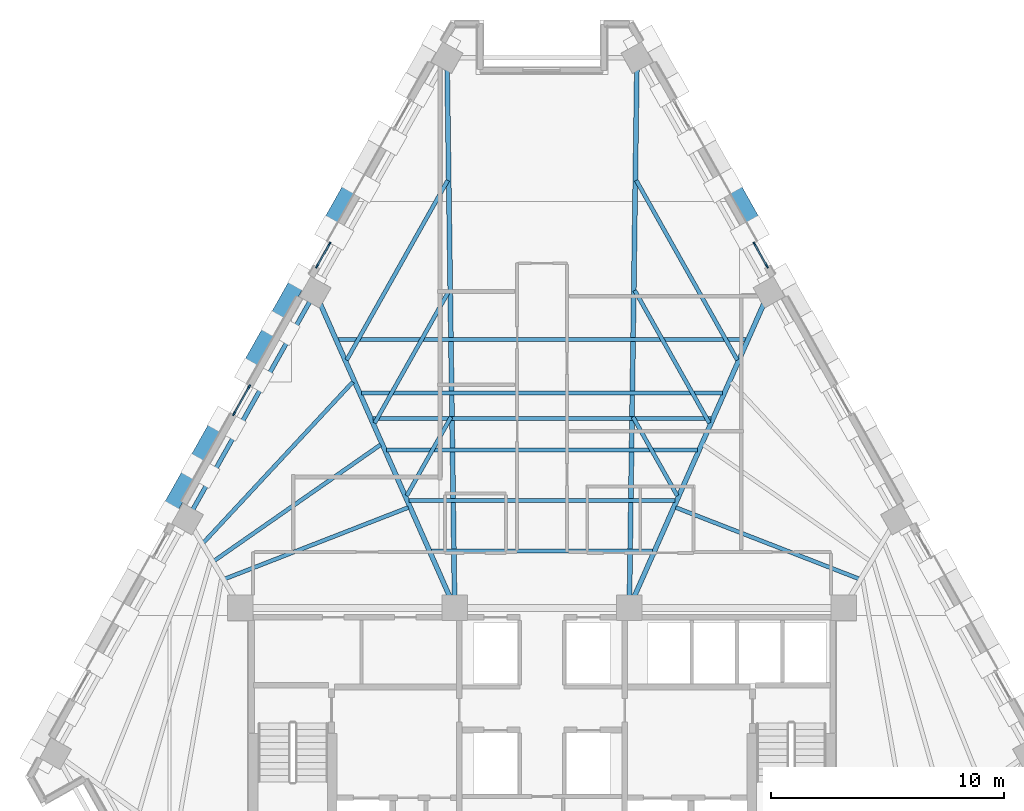
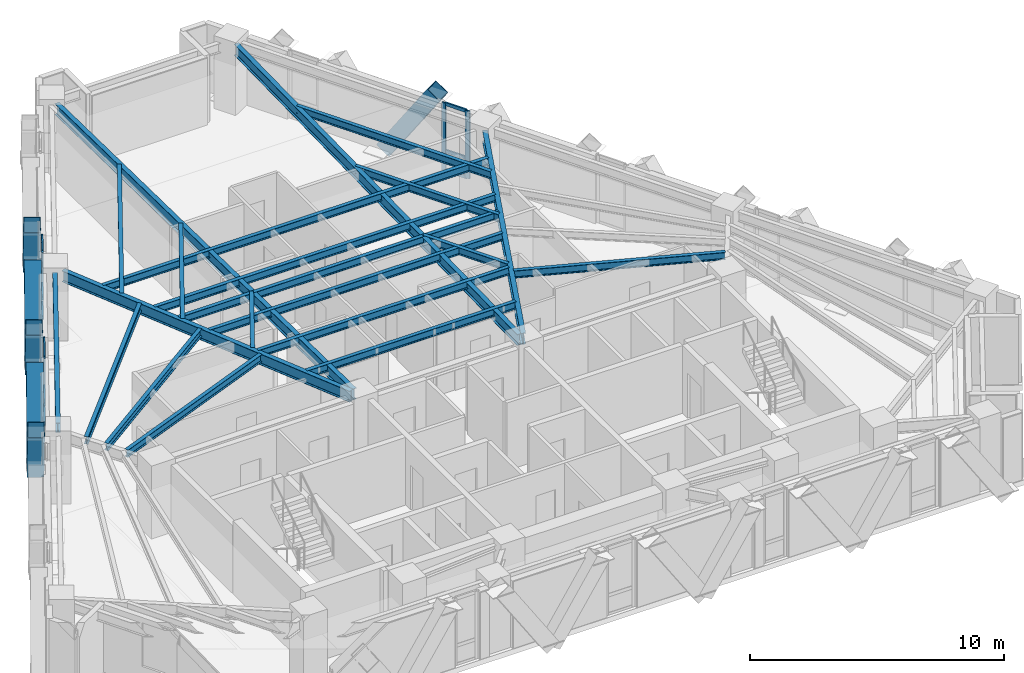
# One storey, part 3 of 13: 21 beams, 21 members, 3 elements without a shape of their own.
"""IFC4 building model written with IfcOpenShell, lengths in metres."""

from ifc_helpers import new_model, si_unit, direction, frame, origin, origin_2d, place, context, subcontext, project, spatial, rectangle, hollow_rectangle, i_section, extrude, material, material_profile, profile_set, type_object, element, aggregate, save


model = new_model("IFC4")

# Units and contexts
model_context = context("Model", 3, precision=1e-05, world=origin(), true_north=direction((0.0, 1.0)))
body_context = subcontext(model_context, "Body", "Model", "MODEL_VIEW")
ifc_project = project(units=[si_unit("LENGTHUNIT", "METRE"), si_unit("AREAUNIT", "SQUARE_METRE"), si_unit("VOLUMEUNIT", "CUBIC_METRE"), si_unit("PLANEANGLEUNIT", "RADIAN"), si_unit("MASSUNIT", "GRAM", prefix="KILO")], contexts=[model_context])

# Site, building, storey
site_placement = place(None, origin())
site = spatial("IfcSite", under=ifc_project, at=site_placement, CompositionType="ELEMENT")
building_placement = place(site_placement, origin())
building = spatial("IfcBuilding", under=site, at=building_placement, Name="Quenlor Broadcast Tower", CompositionType="ELEMENT")
storey_placement = place(building_placement, frame((0.0, 0.0, 151.0)))
storey = spatial("IfcBuildingStorey", under=building, at=storey_placement, Name="L41", CompositionType="ELEMENT", Elevation=151.0)

# Curtain wall, members
ifc_material_1 = material(Name="Architectural Terracotta and Low-E Glazing", Category="masonry")
curtain_wall_type = type_object("IfcCurtainWallType", Name="Unitised Terracotta Curtain Wall System Z3", PredefinedType="NOTDEFINED", material=ifc_material_1)
curtain_wall_1_placement = place(storey_placement, origin())
curtain_wall_1 = element("IfcCurtainWall", 1, at=curtain_wall_1_placement, inside=storey, type_object=curtain_wall_type, Name="L41 Curtain Wall CW3 (L41-NEA-G2)", PredefinedType="NOTDEFINED")
ifc_material_2 = material(Name="Aluminium 6063-T6", Category="aluminium")
ifc_material_profile_1 = material_profile(ifc_material_2, rectangle(XDim=0.070068359375, YDim=0.18994140625, at=origin_2d()))
ifc_profile_set_1 = profile_set([ifc_material_profile_1], Name="Aluminium 6063-T6 MULL70x190")
member_type_1 = type_object("IfcMemberType", Name="CW3 Aluminium Mullion MULL_CW3", PredefinedType="MULLION", material=ifc_profile_set_1)
member_1_placement = place(storey_placement, frame((9.1259765625, 10.8193359375, 0.0), z_axis=(0.0, 0.0, 1.0), x_axis=(0.871601010924, 0.490215950125, 0.0)))
member_1 = element("IfcMember", 2, at=member_1_placement, type_object=member_type_1, Name="CW3 mullion 1", PredefinedType="MULLION", context=body_context, shape_type="SweptSolid", body=[
    extrude(rectangle(XDim=0.070068359375, YDim=0.18994140625, at=origin_2d()), origin(), (0.0, 0.0, 1.0), 3.25),
])
member_2_placement = place(storey_placement, frame((9.656982421875, 9.875244140625, 0.0), z_axis=(0.0, 0.0, 1.0), x_axis=(0.871601010924, 0.490215950125, 0.0)))
member_2 = element("IfcMember", 3, at=member_2_placement, type_object=member_type_1, Name="CW3 mullion 2", PredefinedType="MULLION", context=body_context, shape_type="SweptSolid", body=[
    extrude(rectangle(XDim=0.070068359375, YDim=0.18994140625, at=origin_2d()), origin(), (0.0, 0.0, 1.0), 3.25),
])

curtain_wall_2_placement = place(storey_placement, origin())
curtain_wall_2 = element("IfcCurtainWall", 4, at=curtain_wall_2_placement, inside=storey, type_object=curtain_wall_type, Name="L41 Curtain Wall CW3 (L41-NWC-G1)", PredefinedType="NOTDEFINED")
member_3_placement = place(storey_placement, frame((-9.656982421875, 9.875244140625, 0.0), z_axis=(0.0, 0.0, 1.0), x_axis=(-0.871601010924, 0.490215950125, 0.0)))
member_3 = element("IfcMember", 5, at=member_3_placement, type_object=member_type_1, Name="CW3 mullion 1", PredefinedType="MULLION", context=body_context, shape_type="SweptSolid", body=[
    extrude(rectangle(XDim=0.070068359375, YDim=0.18994140625, at=origin_2d()), origin(), (0.0, 0.0, 1.0), 3.25),
])
member_4_placement = place(storey_placement, frame((-9.1259765625, 10.8193359375, 0.0), z_axis=(0.0, 0.0, 1.0), x_axis=(-0.871601010924, 0.490215950125, 0.0)))
member_4 = element("IfcMember", 6, at=member_4_placement, type_object=member_type_1, Name="CW3 mullion 2", PredefinedType="MULLION", context=body_context, shape_type="SweptSolid", body=[
    extrude(rectangle(XDim=0.070068359375, YDim=0.18994140625, at=origin_2d()), origin(), (0.0, 0.0, 1.0), 3.25),
])

curtain_wall_3_placement = place(storey_placement, origin())
curtain_wall_3 = element("IfcCurtainWall", 7, at=curtain_wall_3_placement, inside=storey, type_object=curtain_wall_type, Name="L41 Curtain Wall CW3 (L41-NW-G1)", PredefinedType="NOTDEFINED")
member_5_placement = place(storey_placement, frame((-13.220947265625, 3.5390625, 0.0), z_axis=(0.0, 0.0, 1.0), x_axis=(-0.871562085714, 0.490285152484, 0.0)))
member_5 = element("IfcMember", 8, at=member_5_placement, type_object=member_type_1, Name="CW3 mullion 1", PredefinedType="MULLION", context=body_context, shape_type="SweptSolid", body=[
    extrude(rectangle(XDim=0.070068359375, YDim=0.18994140625, at=origin_2d()), origin(), (0.0, 0.0, 1.0), 3.25),
])
member_6_placement = place(storey_placement, frame((-12.573974609375, 4.689208984375, 0.0), z_axis=(0.0, 0.0, 1.0), x_axis=(-0.871562085714, 0.490285152484, 0.0)))
member_6 = element("IfcMember", 9, at=member_6_placement, type_object=member_type_1, Name="CW3 mullion 2", PredefinedType="MULLION", context=body_context, shape_type="SweptSolid", body=[
    extrude(rectangle(XDim=0.070068359375, YDim=0.18994140625, at=origin_2d()), origin(), (0.0, 0.0, 1.0), 3.25),
])

# Member
ifc_material_3 = material(Name="Aluminium 6063-T6", Category="aluminium")
ifc_material_profile_2 = material_profile(ifc_material_3, rectangle(XDim=0.070068359375, YDim=0.155029296875, at=origin_2d()))
ifc_profile_set_2 = profile_set([ifc_material_profile_2], Name="Aluminium 6063-T6 TRAN70x155")
member_type_2 = type_object("IfcMemberType", Name="CW3 Aluminium Transom TRAN_CW3", PredefinedType="USERDEFINED", material=ifc_profile_set_2)
member_7_placement = place(storey_placement, frame((9.14306640625, 10.788818359375, 0.034912109375), z_axis=(0.490341317219, -0.871530488639, 0.0), x_axis=(0.871530488639, 0.490341317219, 0.0)))
member_7 = element("IfcMember", 10, at=member_7_placement, type_object=member_type_2, Name="CW3 transom 1.1", ObjectType="TRANSOM", PredefinedType="USERDEFINED", context=body_context, shape_type="SweptSolid", body=[
    extrude(rectangle(XDim=0.070068359375, YDim=0.155029296875, at=origin_2d()), origin(), (0.0, 0.0, 1.0), 1.01318359375),
])

member_8_placement = place(storey_placement, frame((9.14306640625, 10.788818359375, 0.949951171875), z_axis=(0.490341317219, -0.871530488639, 0.0), x_axis=(0.871530488639, 0.490341317219, 0.0)))
member_8 = element("IfcMember", 11, at=member_8_placement, type_object=member_type_2, Name="CW3 transom 1.2", ObjectType="TRANSOM", PredefinedType="USERDEFINED", context=body_context, shape_type="SweptSolid", body=[
    extrude(rectangle(XDim=0.070068359375, YDim=0.155029296875, at=origin_2d()), origin(), (0.0, 0.0, 1.0), 1.01318359375),
])

member_9_placement = place(storey_placement, frame((9.14306640625, 10.788818359375, 3.215087890625), z_axis=(0.490341317219, -0.871530488639, 0.0), x_axis=(0.871530488639, 0.490341317219, 0.0)))
member_9 = element("IfcMember", 12, at=member_9_placement, type_object=member_type_2, Name="CW3 transom 1.3", ObjectType="TRANSOM", PredefinedType="USERDEFINED", context=body_context, shape_type="SweptSolid", body=[
    extrude(rectangle(XDim=0.070068359375, YDim=0.155029296875, at=origin_2d()), origin(), (0.0, 0.0, 1.0), 1.01318359375),
])

aggregate(curtain_wall_1, [member_1, member_2, member_7, member_8, member_9])

member_10_placement = place(storey_placement, frame((-9.639892578125, 9.90576171875, 0.034912109375), z_axis=(0.490341317219, 0.871530488639, 0.0), x_axis=(-0.871530488639, 0.490341317219, 0.0)))
member_10 = element("IfcMember", 13, at=member_10_placement, type_object=member_type_2, Name="CW3 transom 1.1", ObjectType="TRANSOM", PredefinedType="USERDEFINED", context=body_context, shape_type="SweptSolid", body=[
    extrude(rectangle(XDim=0.070068359375, YDim=0.155029296875, at=origin_2d()), origin(), (0.0, 0.0, 1.0), 1.01318359375),
])

member_11_placement = place(storey_placement, frame((-9.639892578125, 9.90576171875, 0.949951171875), z_axis=(0.490341317219, 0.871530488639, 0.0), x_axis=(-0.871530488639, 0.490341317219, 0.0)))
member_11 = element("IfcMember", 14, at=member_11_placement, type_object=member_type_2, Name="CW3 transom 1.2", ObjectType="TRANSOM", PredefinedType="USERDEFINED", context=body_context, shape_type="SweptSolid", body=[
    extrude(rectangle(XDim=0.070068359375, YDim=0.155029296875, at=origin_2d()), origin(), (0.0, 0.0, 1.0), 1.01318359375),
])

member_12_placement = place(storey_placement, frame((-9.639892578125, 9.90576171875, 3.215087890625), z_axis=(0.490341317219, 0.871530488639, 0.0), x_axis=(-0.871530488639, 0.490341317219, 0.0)))
member_12 = element("IfcMember", 15, at=member_12_placement, type_object=member_type_2, Name="CW3 transom 1.3", ObjectType="TRANSOM", PredefinedType="USERDEFINED", context=body_context, shape_type="SweptSolid", body=[
    extrude(rectangle(XDim=0.070068359375, YDim=0.155029296875, at=origin_2d()), origin(), (0.0, 0.0, 1.0), 1.01318359375),
])

aggregate(curtain_wall_2, [member_3, member_4, member_10, member_11, member_12])

member_13_placement = place(storey_placement, frame((-13.203857421875, 3.569580078125, 0.034912109375), z_axis=(0.490363266059, 0.871518139398, 0.0), x_axis=(-0.871518139398, 0.490363266059, 0.0)))
member_13 = element("IfcMember", 16, at=member_13_placement, type_object=member_type_2, Name="CW3 transom 1.1", ObjectType="TRANSOM", PredefinedType="USERDEFINED", context=body_context, shape_type="SweptSolid", body=[
    extrude(rectangle(XDim=0.070068359375, YDim=0.155029296875, at=origin_2d()), origin(), (0.0, 0.0, 1.0), 1.249755859375),
])

member_14_placement = place(storey_placement, frame((-13.203857421875, 3.569580078125, 0.949951171875), z_axis=(0.490363266059, 0.871518139398, 0.0), x_axis=(-0.871518139398, 0.490363266059, 0.0)))
member_14 = element("IfcMember", 17, at=member_14_placement, type_object=member_type_2, Name="CW3 transom 1.2", ObjectType="TRANSOM", PredefinedType="USERDEFINED", context=body_context, shape_type="SweptSolid", body=[
    extrude(rectangle(XDim=0.070068359375, YDim=0.155029296875, at=origin_2d()), origin(), (0.0, 0.0, 1.0), 1.249755859375),
])

member_15_placement = place(storey_placement, frame((-13.203857421875, 3.569580078125, 3.215087890625), z_axis=(0.490363266059, 0.871518139398, 0.0), x_axis=(-0.871518139398, 0.490363266059, 0.0)))
member_15 = element("IfcMember", 18, at=member_15_placement, type_object=member_type_2, Name="CW3 transom 1.3", ObjectType="TRANSOM", PredefinedType="USERDEFINED", context=body_context, shape_type="SweptSolid", body=[
    extrude(rectangle(XDim=0.070068359375, YDim=0.155029296875, at=origin_2d()), origin(), (0.0, 0.0, 1.0), 1.249755859375),
])

aggregate(curtain_wall_3, [member_5, member_6, member_13, member_14, member_15])

# Members
ifc_material_4 = material(Name="Steel S355", Category="steel")
ifc_material_profile_3 = material_profile(ifc_material_4, hollow_rectangle(XDim=0.679931640625, YDim=0.679931640625, WallThickness=0.02490234375, at=origin_2d()))
ifc_profile_set_3 = profile_set([ifc_material_profile_3], Name="Steel S355 RHS680x680x25")
member_type_3 = type_object("IfcMemberType", Name="Perimeter Diagonal Lattice Brace Z3-Z4 Steel S355 RHS680x25", PredefinedType="BRACE", material=ifc_profile_set_3)
for number, where, z_axis, x_axis, name in (
    (19, (8.076416015625, 13.490478515625, -0.1201171875), (0.27060310517, -0.481001091283, 0.833913610428), (0.871544572467, 0.490316283845, 0.0), "L41 Perimeter Diamond Lattice NE-C2S"),
    (20, (-14.97265625, 1.230712890625, -0.1201171875), (-0.27060310517, -0.481001091283, 0.833913610428), (0.871544572467, -0.490316283845, 0.0), "L41 Perimeter Diamond Lattice NW-C2B"),
    (21, (-14.958984375, 1.255126953125, -0.1201171875), (0.2705491942, 0.481008661973, 0.833926735766), (-0.871589611547, 0.490236217596, 0.0), "L41 Perimeter Diamond Lattice NW-C3S"),
    (22, (-11.524658203125, 7.360595703125, -0.1201171875), (-0.2705491942, -0.481008661973, 0.833926735766), (0.871589611547, -0.490236217596, 0.0), "L41 Perimeter Diamond Lattice NW-C3B"),
    (23, (-11.5107421875, 7.385009765625, -0.1201171875), (0.2705491942, 0.481008661973, 0.833926735766), (-0.871589611547, 0.490236217596, 0.0), "L41 Perimeter Diamond Lattice NW-C4S"),
    (24, (-8.076416015625, 13.490478515625, -0.1201171875), (-0.27060310517, -0.481001091283, 0.833913610428), (0.871544572467, -0.490316283845, 0.0), "L41 Perimeter Diamond Lattice NW-C4B"),
):
    element("IfcMember", number, at=place(storey_placement, frame(where, z_axis=z_axis, x_axis=x_axis)), inside=storey, type_object=member_type_3, Name=name, PredefinedType="BRACE", context=body_context, shape_type="SweptSolid", body=[
        extrude(hollow_rectangle(XDim=0.679931640625, YDim=0.679931640625, WallThickness=0.02490234375, at=origin_2d()), origin(), (0.0, 0.0, 1.0), 4.197021484375),
    ])

# Beams
ifc_material_5 = material(Name="Steel S355", Category="steel")
ifc_material_profile_4 = material_profile(ifc_material_5, i_section(OverallWidth=0.19091796875, OverallDepth=0.46044921875, WebThickness=0.010009765625, FlangeThickness=0.01611328125, FilletRadius=0.011474609375, at=origin_2d()))
ifc_profile_set_4 = profile_set([ifc_material_profile_4], Name="Steel S355 460UB82.1")
beam_type_1 = type_object("IfcBeamType", Name="Perimeter Spandrel Beam Z3 Steel S355 460UB82.1", PredefinedType="SPANDREL", material=ifc_profile_set_4)
beam_1_placement = place(storey_placement, frame((-9.944091796875, 8.39599609375, 3.019775390625), z_axis=(-0.490252288562, -0.871580572041, 0.0), x_axis=(0.871580572041, -0.490252288562, 0.0)))
element("IfcBeam", 25, at=beam_1_placement, inside=storey, type_object=beam_type_1, Name="L41 Spandrel Beam NW2-NW3", PredefinedType="SPANDREL", context=body_context, shape_type="SweptSolid", body=[
    extrude(i_section(OverallWidth=0.19091796875, OverallDepth=0.46044921875, WebThickness=0.010009765625, FlangeThickness=0.01611328125, FilletRadius=0.011474609375, at=origin_2d()), origin(), (0.0, 0.0, 1.0), 10.359619140625),
])
ifc_material_6 = material(Name="Steel S355", Category="steel")
ifc_material_profile_5 = material_profile(ifc_material_6, i_section(OverallWidth=0.172119140625, OverallDepth=0.358642578125, WebThickness=0.008056640625, FlangeThickness=0.012939453125, FilletRadius=0.011474609375, at=origin_2d()))
ifc_profile_set_5 = profile_set([ifc_material_profile_5], Name="Steel S355 360UB56.7")
beam_type_2 = type_object("IfcBeamType", Name="Tower Composite Joist Z2-Z3 Steel S355 360UB56.7", PredefinedType="JOIST", material=ifc_profile_set_5)
beam_2_placement = place(storey_placement, frame((-4.748779296875, -2.3603515625, 3.07080078125), z_axis=(1.0, 0.0, 0.0), x_axis=(0.0, 1.0, 0.0)))
element("IfcBeam", 26, at=beam_2_placement, inside=storey, type_object=beam_type_2, Name="L41 Secondary Composite Joist 1", PredefinedType="JOIST", context=body_context, shape_type="SweptSolid", body=[
    extrude(i_section(OverallWidth=0.172119140625, OverallDepth=0.358642578125, WebThickness=0.008056640625, FlangeThickness=0.012939453125, FilletRadius=0.011474609375, at=origin_2d()), origin(), (0.0, 0.0, 1.0), 9.49755859375),
])
beam_3_placement = place(storey_placement, frame((-7.265869140625, 3.33203125, 3.07080078125), z_axis=(1.0, 0.0, 0.0), x_axis=(0.0, 1.0, 0.0)))
element("IfcBeam", 27, at=beam_3_placement, inside=storey, type_object=beam_type_2, Name="L41 Secondary Composite Joist 2", PredefinedType="JOIST", context=body_context, shape_type="SweptSolid", body=[
    extrude(i_section(OverallWidth=0.172119140625, OverallDepth=0.358642578125, WebThickness=0.008056640625, FlangeThickness=0.012939453125, FilletRadius=0.011474609375, at=origin_2d()), origin(), (0.0, 0.0, 1.0), 14.53173828125),
])
beam_4_placement = place(storey_placement, frame((-5.70751953125, -0.19189453125, 3.07080078125), z_axis=(1.0, 0.0, 0.0), x_axis=(0.0, 1.0, 0.0)))
element("IfcBeam", 28, at=beam_4_placement, inside=storey, type_object=beam_type_2, Name="L41 Secondary Composite Joist 3", PredefinedType="JOIST", context=body_context, shape_type="SweptSolid", body=[
    extrude(i_section(OverallWidth=0.172119140625, OverallDepth=0.358642578125, WebThickness=0.008056640625, FlangeThickness=0.012939453125, FilletRadius=0.011474609375, at=origin_2d()), origin(), (0.0, 0.0, 1.0), 11.4150390625),
])
beam_5_placement = place(storey_placement, frame((-6.66650390625, 1.976806640625, 3.07080078125), z_axis=(1.0, 0.0, 0.0), x_axis=(0.0, 1.0, 0.0)))
element("IfcBeam", 29, at=beam_5_placement, inside=storey, type_object=beam_type_2, Name="L41 Secondary Composite Joist 4", PredefinedType="JOIST", context=body_context, shape_type="SweptSolid", body=[
    extrude(i_section(OverallWidth=0.172119140625, OverallDepth=0.358642578125, WebThickness=0.008056640625, FlangeThickness=0.012939453125, FilletRadius=0.011474609375, at=origin_2d()), origin(), (0.0, 0.0, 1.0), 13.3330078125),
])
beam_6_placement = place(storey_placement, frame((-7.7451171875, 4.416259765625, 3.07080078125), z_axis=(1.0, 0.0, 0.0), x_axis=(0.0, 1.0, 0.0)))
element("IfcBeam", 30, at=beam_6_placement, inside=storey, type_object=beam_type_2, Name="L41 Secondary Composite Joist 5", PredefinedType="JOIST", context=body_context, shape_type="SweptSolid", body=[
    extrude(i_section(OverallWidth=0.172119140625, OverallDepth=0.358642578125, WebThickness=0.008056640625, FlangeThickness=0.012939453125, FilletRadius=0.011474609375, at=origin_2d()), origin(), (0.0, 0.0, 1.0), 15.490234375),
])
beam_7_placement = place(storey_placement, frame((-8.763916015625, 6.72021484375, 3.07080078125), z_axis=(1.0, 0.0, 0.0), x_axis=(0.0, 1.0, 0.0)))
element("IfcBeam", 31, at=beam_7_placement, inside=storey, type_object=beam_type_2, Name="L41 Secondary Composite Joist 6", PredefinedType="JOIST", context=body_context, shape_type="SweptSolid", body=[
    extrude(i_section(OverallWidth=0.172119140625, OverallDepth=0.358642578125, WebThickness=0.008056640625, FlangeThickness=0.012939453125, FilletRadius=0.011474609375, at=origin_2d()), origin(), (0.0, 0.0, 1.0), 17.52783203125),
])
beam_8_placement = place(storey_placement, frame((-13.60302734375, -3.552001953125, 3.07080078125), z_axis=(0.931881865797, 0.362761889121, 0.0), x_axis=(-0.362761889121, 0.931881865797, 0.0)))
element("IfcBeam", 32, at=beam_8_placement, inside=storey, type_object=beam_type_2, Name="L41 Secondary Composite Joist 7", PredefinedType="JOIST", context=body_context, shape_type="SweptSolid", body=[
    extrude(i_section(OverallWidth=0.172119140625, OverallDepth=0.358642578125, WebThickness=0.008056640625, FlangeThickness=0.012939453125, FilletRadius=0.011474609375, at=origin_2d()), origin(), (0.0, 0.0, 1.0), 8.435546875),
])
beam_9_placement = place(storey_placement, frame((-14.06689453125, -2.7734375, 3.07080078125), z_axis=(0.82026568394, 0.57198269882, 0.0), x_axis=(-0.57198269882, 0.82026568394, 0.0)))
element("IfcBeam", 33, at=beam_9_placement, inside=storey, type_object=beam_type_2, Name="L41 Secondary Composite Joist 8", PredefinedType="JOIST", context=body_context, shape_type="SweptSolid", body=[
    extrude(i_section(OverallWidth=0.172119140625, OverallDepth=0.358642578125, WebThickness=0.008056640625, FlangeThickness=0.012939453125, FilletRadius=0.011474609375, at=origin_2d()), origin(), (0.0, 0.0, 1.0), 8.698486328125),
])
beam_10_placement = place(storey_placement, frame((-14.53271484375, -1.998779296875, 3.07080078125), z_axis=(0.680873505991, 0.732401030065, 0.0), x_axis=(-0.732401030065, 0.680873505991, 0.0)))
element("IfcBeam", 34, at=beam_10_placement, inside=storey, type_object=beam_type_2, Name="L41 Secondary Composite Joist 9", PredefinedType="JOIST", context=body_context, shape_type="SweptSolid", body=[
    extrude(i_section(OverallWidth=0.172119140625, OverallDepth=0.358642578125, WebThickness=0.008056640625, FlangeThickness=0.012939453125, FilletRadius=0.011474609375, at=origin_2d()), origin(), (0.0, 0.0, 1.0), 9.419189453125),
])
beam_11_placement = place(storey_placement, frame((13.60302734375, -3.552001953125, 3.07080078125), z_axis=(-0.931881865797, 0.362761889121, 0.0), x_axis=(-0.362761889121, -0.931881865797, 0.0)))
element("IfcBeam", 35, at=beam_11_placement, inside=storey, type_object=beam_type_2, Name="L41 Secondary Composite Joist 10", PredefinedType="JOIST", context=body_context, shape_type="SweptSolid", body=[
    extrude(i_section(OverallWidth=0.172119140625, OverallDepth=0.358642578125, WebThickness=0.008056640625, FlangeThickness=0.012939453125, FilletRadius=0.011474609375, at=origin_2d()), origin(), (0.0, 0.0, 1.0), 8.435546875),
])
beam_12_placement = place(storey_placement, frame((-3.904541015625, 3.39794921875, 3.07080078125), z_axis=(-0.49026422458, -0.871573858085, 0.0), x_axis=(0.871573858085, -0.49026422458, 0.0)))
element("IfcBeam", 36, at=beam_12_placement, inside=storey, type_object=beam_type_2, Name="L41 Secondary Composite Joist 25", PredefinedType="JOIST", context=body_context, shape_type="SweptSolid", body=[
    extrude(i_section(OverallWidth=0.172119140625, OverallDepth=0.358642578125, WebThickness=0.008056640625, FlangeThickness=0.012939453125, FilletRadius=0.011474609375, at=origin_2d()), origin(), (0.0, 0.0, 1.0), 3.88330078125),
])
beam_13_placement = place(storey_placement, frame((-3.980224609375, 8.8310546875, 3.07080078125), z_axis=(-0.490266556378, -0.871572546434, 0.0), x_axis=(0.871572546434, -0.490266556378, 0.0)))
element("IfcBeam", 37, at=beam_13_placement, inside=storey, type_object=beam_type_2, Name="L41 Secondary Composite Joist 26", PredefinedType="JOIST", context=body_context, shape_type="SweptSolid", body=[
    extrude(i_section(OverallWidth=0.172119140625, OverallDepth=0.358642578125, WebThickness=0.008056640625, FlangeThickness=0.012939453125, FilletRadius=0.011474609375, at=origin_2d()), origin(), (0.0, 0.0, 1.0), 6.54052734375),
])
beam_14_placement = place(storey_placement, frame((-4.046142578125, 13.555419921875, 3.07080078125), z_axis=(-0.490254691431, -0.871579220455, 0.0), x_axis=(0.871579220455, -0.490254691431, 0.0)))
element("IfcBeam", 38, at=beam_14_placement, inside=storey, type_object=beam_type_2, Name="L41 Secondary Composite Joist 27", PredefinedType="JOIST", context=body_context, shape_type="SweptSolid", body=[
    extrude(i_section(OverallWidth=0.172119140625, OverallDepth=0.358642578125, WebThickness=0.008056640625, FlangeThickness=0.012939453125, FilletRadius=0.011474609375, at=origin_2d()), origin(), (0.0, 0.0, 1.0), 8.850830078125),
])
beam_15_placement = place(storey_placement, frame((3.904541015625, 3.39794921875, 3.07080078125), z_axis=(0.49026422458, -0.871573858085, 0.0), x_axis=(0.871573858085, 0.49026422458, 0.0)))
element("IfcBeam", 39, at=beam_15_placement, inside=storey, type_object=beam_type_2, Name="L41 Secondary Composite Joist 28", PredefinedType="JOIST", context=body_context, shape_type="SweptSolid", body=[
    extrude(i_section(OverallWidth=0.172119140625, OverallDepth=0.358642578125, WebThickness=0.008056640625, FlangeThickness=0.012939453125, FilletRadius=0.011474609375, at=origin_2d()), origin(), (0.0, 0.0, 1.0), 3.88330078125),
])
beam_16_placement = place(storey_placement, frame((3.980224609375, 8.8310546875, 3.07080078125), z_axis=(0.490266556378, -0.871572546434, 0.0), x_axis=(0.871572546434, 0.490266556378, 0.0)))
element("IfcBeam", 40, at=beam_16_placement, inside=storey, type_object=beam_type_2, Name="L41 Secondary Composite Joist 29", PredefinedType="JOIST", context=body_context, shape_type="SweptSolid", body=[
    extrude(i_section(OverallWidth=0.172119140625, OverallDepth=0.358642578125, WebThickness=0.008056640625, FlangeThickness=0.012939453125, FilletRadius=0.011474609375, at=origin_2d()), origin(), (0.0, 0.0, 1.0), 6.54052734375),
])
beam_17_placement = place(storey_placement, frame((4.046142578125, 13.555419921875, 3.07080078125), z_axis=(0.490254691431, -0.871579220455, 0.0), x_axis=(0.871579220455, 0.490254691431, 0.0)))
element("IfcBeam", 41, at=beam_17_placement, inside=storey, type_object=beam_type_2, Name="L41 Secondary Composite Joist 30", PredefinedType="JOIST", context=body_context, shape_type="SweptSolid", body=[
    extrude(i_section(OverallWidth=0.172119140625, OverallDepth=0.358642578125, WebThickness=0.008056640625, FlangeThickness=0.012939453125, FilletRadius=0.011474609375, at=origin_2d()), origin(), (0.0, 0.0, 1.0), 8.850830078125),
])
ifc_material_7 = material(Name="Steel S355", Category="steel")
ifc_material_profile_6 = material_profile(ifc_material_7, i_section(OverallWidth=0.208984375, OverallDepth=0.532958984375, WebThickness=0.01025390625, FlangeThickness=0.015625, FilletRadius=0.013916015625, at=origin_2d()))
ifc_profile_set_6 = profile_set([ifc_material_profile_6], Name="Steel S355 530UB92.4")
beam_type_3 = type_object("IfcBeamType", Name="Tower Primary Floor Beam Z3 Steel S355 530UB92.4", PredefinedType="BEAM", material=ifc_profile_set_6)
beam_18_placement = place(storey_placement, frame((9.5771484375, 8.37841796875, 2.9833984375), z_axis=(-0.404397129794, -0.914583490675, 0.0), x_axis=(0.914583490675, -0.404397129794, 0.0)))
element("IfcBeam", 42, at=beam_18_placement, inside=storey, type_object=beam_type_3, Name="L41 Primary Radial Beam NE3", PredefinedType="BEAM", context=body_context, shape_type="SweptSolid", body=[
    extrude(i_section(OverallWidth=0.208984375, OverallDepth=0.532958984375, WebThickness=0.01025390625, FlangeThickness=0.015625, FilletRadius=0.013916015625, at=origin_2d()), origin(), (0.0, 0.0, 1.0), 14.029052734375),
])
for number, where, z_axis, x_axis, name in (
    (43, (4.073486328125, 18.412109375, 2.9833984375), (-0.013931496433, -0.999902951994, 0.0), (0.999902951994, -0.013931496433, 0.0), "L41 Primary Radial Beam NE4"),
    (44, (-4.073486328125, 18.412109375, 2.9833984375), (0.013931496433, -0.999902951994, 0.0), (0.999902951994, 0.013931496433, 0.0), "L41 Primary Radial Beam NW1"),
):
    element("IfcBeam", number, at=place(storey_placement, frame(where, z_axis=z_axis, x_axis=x_axis)), inside=storey, type_object=beam_type_3, Name=name, PredefinedType="BEAM", context=body_context, shape_type="SweptSolid", body=[
        extrude(i_section(OverallWidth=0.208984375, OverallDepth=0.532958984375, WebThickness=0.01025390625, FlangeThickness=0.015625, FilletRadius=0.013916015625, at=origin_2d()), origin(), (0.0, 0.0, 1.0), 22.834228515625),
    ])
beam_19_placement = place(storey_placement, frame((-9.5771484375, 8.37841796875, 2.9833984375), z_axis=(0.404397129794, -0.914583490675, 0.0), x_axis=(0.914583490675, 0.404397129794, 0.0)))
element("IfcBeam", 45, at=beam_19_placement, inside=storey, type_object=beam_type_3, Name="L41 Primary Radial Beam NW2", PredefinedType="BEAM", context=body_context, shape_type="SweptSolid", body=[
    extrude(i_section(OverallWidth=0.208984375, OverallDepth=0.532958984375, WebThickness=0.01025390625, FlangeThickness=0.015625, FilletRadius=0.013916015625, at=origin_2d()), origin(), (0.0, 0.0, 1.0), 14.029052734375),
])

save(model, "model.ifc")
